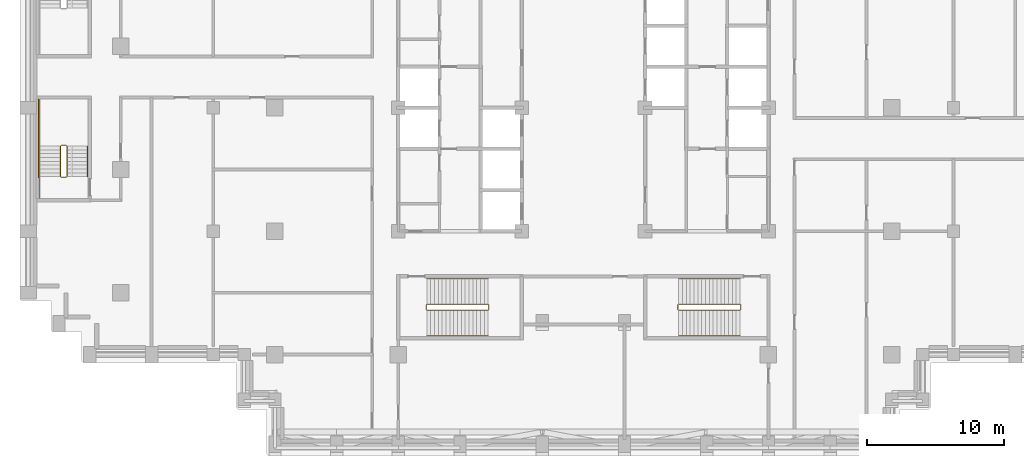
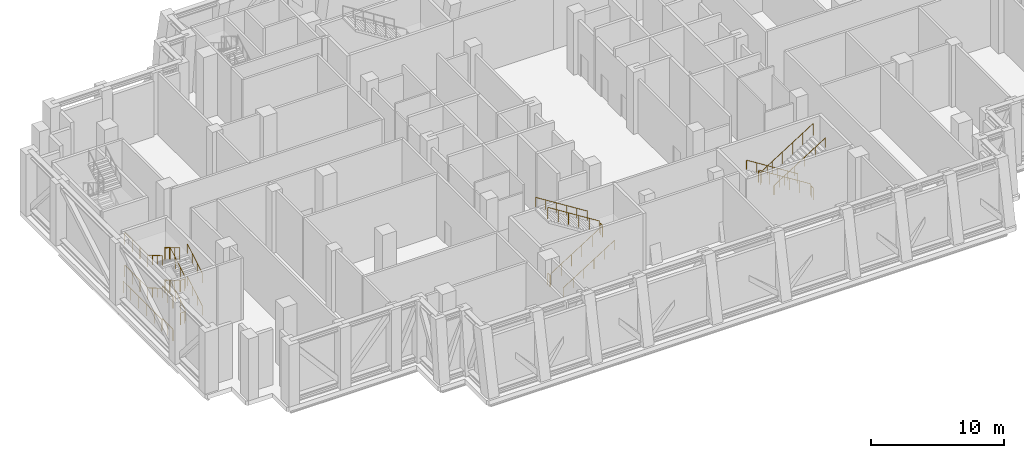
# One storey, part 12 of 14: 3 railings.
"""IFC4 building model written with IfcOpenShell, lengths in metres."""

from ifc_helpers import new_model, si_unit, direction, frame, origin, origin_2d, place, context, subcontext, project, spatial, circle, extrude, material, type_object, element, save


model = new_model("IFC4")

# Units and contexts
model_context = context("Model", 3, precision=1e-05, world=origin(), true_north=direction((0.0, 1.0)))
body_context = subcontext(model_context, "Body", "Model", "MODEL_VIEW")
ifc_project = project(units=[si_unit("LENGTHUNIT", "METRE"), si_unit("AREAUNIT", "SQUARE_METRE"), si_unit("VOLUMEUNIT", "CUBIC_METRE"), si_unit("PLANEANGLEUNIT", "RADIAN"), si_unit("MASSUNIT", "GRAM", prefix="KILO")], contexts=[model_context])

# Site, building, storey
site_placement = place(None, origin())
site = spatial("IfcSite", under=ifc_project, at=site_placement, CompositionType="ELEMENT")
building_placement = place(site_placement, origin())
building = spatial("IfcBuilding", under=site, at=building_placement, Name="Corbelhall Arena Tower", CompositionType="ELEMENT")
storey_placement = place(building_placement, frame((0.0, 0.0, 120.0)))
storey = spatial("IfcBuildingStorey", under=building, at=storey_placement, Name="L22", CompositionType="ELEMENT", Elevation=120.0)

# Railings
ifc_material = material(Name="Steel ASTM A500 Gr C", Category="steel")
railing_type = type_object("IfcRailingType", Name="IN-GD-1100", PredefinedType="GUARDRAIL", material=ifc_material)
railing_1_placement = place(storey_placement, frame((-11.425048828125, -14.77490234375, 0.176513671875)))
element("IfcRailing", 1, at=railing_1_placement, inside=storey, type_object=railing_type, Name="L22 ST2 stair guards and handrails", PredefinedType="GUARDRAIL", context=body_context, shape_type="SweptSolid", body=[
    extrude(circle(Radius=0.02392578125, at=origin_2d()), frame((0.0, 0.0, 1.076171875), z_axis=(0.845997938375, 0.0, 0.533186166611), x_axis=(0.0, 1.0, 0.0)), (0.0, 0.0, 1.0), 5.29541015625),
    extrude(circle(Radius=0.02392578125, at=origin_2d()), frame((4.530029296875, 0.0498046875, 3.8994140625), z_axis=(0.0, 1.0, 0.0), x_axis=(-1.0, 0.0, 0.0)), (0.0, 0.0, 1.0), 0.35009765625),
    extrude(circle(Radius=0.02392578125, at=origin_2d()), frame((4.47998046875, 0.449951171875, 4.076171875), z_axis=(-0.845997938375, 0.0, 0.533186166611), x_axis=(0.0, -1.0, 0.0)), (0.0, 0.0, 1.0), 5.29541015625),
    extrude(circle(Radius=0.02392578125, at=origin_2d()), frame((-0.050048828125, 0.0498046875, 0.8994140625), z_axis=(0.0, 1.0, 0.0), x_axis=(-1.0, 0.0, 0.0)), (0.0, 0.0, 1.0), 0.35009765625),
    extrude(circle(Radius=0.02392578125, at=origin_2d()), frame((0.0, -1.85009765625, 0.8759765625), z_axis=(0.845997938375, 0.0, 0.533186166611), x_axis=(0.0, 1.0, 0.0)), (0.0, 0.0, 1.0), 5.29541015625),
    extrude(circle(Radius=0.02392578125, at=origin_2d()), frame((4.47998046875, 2.2998046875, 3.8759765625), z_axis=(-0.845997938375, 0.0, 0.533186166611), x_axis=(0.0, -1.0, 0.0)), (0.0, 0.0, 1.0), 5.29541015625),
    extrude(circle(Radius=0.02099609375, at=origin_2d()), origin(), (0.0, 0.0, 1.0), 1.052001953125),
    extrude(circle(Radius=0.02099609375, at=origin_2d()), frame((0.89599609375, 0.0, 0.564697265625)), (0.0, 0.0, 1.0), 1.052001953125),
    extrude(circle(Radius=0.02099609375, at=origin_2d()), frame((1.7919921875, 0.0, 1.12939453125)), (0.0, 0.0, 1.0), 1.052001953125),
    extrude(circle(Radius=0.02099609375, at=origin_2d()), frame((2.68798828125, 0.0, 1.694091796875)), (0.0, 0.0, 1.0), 1.052001953125),
    extrude(circle(Radius=0.02099609375, at=origin_2d()), frame((3.583984375, 0.0, 2.2587890625)), (0.0, 0.0, 1.0), 1.052001953125),
    extrude(circle(Radius=0.02099609375, at=origin_2d()), frame((4.47998046875, 0.0, 2.823486328125)), (0.0, 0.0, 1.0), 1.052001953125),
    extrude(circle(Radius=0.02099609375, at=origin_2d()), frame((4.530029296875, 0.0498046875, 2.823486328125)), (0.0, 0.0, 1.0), 1.052001953125),
    extrude(circle(Radius=0.02099609375, at=origin_2d()), frame((4.530029296875, 0.39990234375, 2.823486328125)), (0.0, 0.0, 1.0), 1.052001953125),
    extrude(circle(Radius=0.02099609375, at=origin_2d()), frame((4.47998046875, 0.449951171875, 3.0)), (0.0, 0.0, 1.0), 1.052001953125),
    extrude(circle(Radius=0.02099609375, at=origin_2d()), frame((3.583984375, 0.449951171875, 3.564697265625)), (0.0, 0.0, 1.0), 1.052001953125),
    extrude(circle(Radius=0.02099609375, at=origin_2d()), frame((2.68798828125, 0.449951171875, 4.12939453125)), (0.0, 0.0, 1.0), 1.052001953125),
    extrude(circle(Radius=0.02099609375, at=origin_2d()), frame((1.7919921875, 0.449951171875, 4.694091796875)), (0.0, 0.0, 1.0), 1.052001953125),
    extrude(circle(Radius=0.02099609375, at=origin_2d()), frame((0.89599609375, 0.449951171875, 5.2587890625)), (0.0, 0.0, 1.0), 1.052001953125),
    extrude(circle(Radius=0.02099609375, at=origin_2d()), frame((0.0, 0.449951171875, 5.823486328125)), (0.0, 0.0, 1.0), 1.052001953125),
    extrude(circle(Radius=0.02099609375, at=origin_2d()), frame((-0.050048828125, 0.0498046875, -0.176513671875)), (0.0, 0.0, 1.0), 1.052001953125),
    extrude(circle(Radius=0.02099609375, at=origin_2d()), frame((-0.050048828125, 0.39990234375, -0.176513671875)), (0.0, 0.0, 1.0), 1.052001953125),
    extrude(circle(Radius=0.02099609375, at=origin_2d()), frame((0.0, -1.85009765625, 0.0)), (0.0, 0.0, 1.0), 0.851806640625),
    extrude(circle(Radius=0.02099609375, at=origin_2d()), frame((0.89599609375, -1.85009765625, 0.564697265625)), (0.0, 0.0, 1.0), 0.851806640625),
    extrude(circle(Radius=0.02099609375, at=origin_2d()), frame((1.7919921875, -1.85009765625, 1.12939453125)), (0.0, 0.0, 1.0), 0.851806640625),
    extrude(circle(Radius=0.02099609375, at=origin_2d()), frame((2.68798828125, -1.85009765625, 1.694091796875)), (0.0, 0.0, 1.0), 0.851806640625),
    extrude(circle(Radius=0.02099609375, at=origin_2d()), frame((3.583984375, -1.85009765625, 2.2587890625)), (0.0, 0.0, 1.0), 0.851806640625),
    extrude(circle(Radius=0.02099609375, at=origin_2d()), frame((4.47998046875, -1.85009765625, 2.823486328125)), (0.0, 0.0, 1.0), 0.851806640625),
    extrude(circle(Radius=0.02099609375, at=origin_2d()), frame((4.47998046875, 2.2998046875, 3.0)), (0.0, 0.0, 1.0), 0.851806640625),
    extrude(circle(Radius=0.02099609375, at=origin_2d()), frame((3.583984375, 2.2998046875, 3.564697265625)), (0.0, 0.0, 1.0), 0.851806640625),
    extrude(circle(Radius=0.02099609375, at=origin_2d()), frame((2.68798828125, 2.2998046875, 4.12939453125)), (0.0, 0.0, 1.0), 0.851806640625),
    extrude(circle(Radius=0.02099609375, at=origin_2d()), frame((1.7919921875, 2.2998046875, 4.694091796875)), (0.0, 0.0, 1.0), 0.851806640625),
    extrude(circle(Radius=0.02099609375, at=origin_2d()), frame((0.89599609375, 2.2998046875, 5.2587890625)), (0.0, 0.0, 1.0), 0.851806640625),
    extrude(circle(Radius=0.02099609375, at=origin_2d()), frame((0.0, 2.2998046875, 5.823486328125)), (0.0, 0.0, 1.0), 0.851806640625),
])
railing_2_placement = place(storey_placement, frame((11.425048828125, -14.324951171875, 0.176513671875)))
element("IfcRailing", 2, at=railing_2_placement, inside=storey, type_object=railing_type, Name="L22 ST4 stair guards and handrails", PredefinedType="GUARDRAIL", context=body_context, shape_type="SweptSolid", body=[
    extrude(circle(Radius=0.02392578125, at=origin_2d()), frame((0.0, 0.0, 1.076171875), z_axis=(-0.845997938375, 0.0, 0.533186166611), x_axis=(0.0, -1.0, 0.0)), (0.0, 0.0, 1.0), 5.29541015625),
    extrude(circle(Radius=0.02392578125, at=origin_2d()), frame((-4.530029296875, -0.050048828125, 3.8994140625), z_axis=(0.0, -1.0, 0.0), x_axis=(1.0, 0.0, 0.0)), (0.0, 0.0, 1.0), 0.35009765625),
    extrude(circle(Radius=0.02392578125, at=origin_2d()), frame((-4.47998046875, -0.449951171875, 4.076171875), z_axis=(0.845997938375, 0.0, 0.533186166611), x_axis=(0.0, 1.0, 0.0)), (0.0, 0.0, 1.0), 5.29541015625),
    extrude(circle(Radius=0.02392578125, at=origin_2d()), frame((0.050048828125, -0.050048828125, 0.8994140625), z_axis=(0.0, -1.0, 0.0), x_axis=(1.0, 0.0, 0.0)), (0.0, 0.0, 1.0), 0.35009765625),
    extrude(circle(Radius=0.02392578125, at=origin_2d()), frame((0.0, 1.849853515625, 0.8759765625), z_axis=(-0.845997938375, 0.0, 0.533186166611), x_axis=(0.0, -1.0, 0.0)), (0.0, 0.0, 1.0), 5.29541015625),
    extrude(circle(Radius=0.02392578125, at=origin_2d()), frame((-4.47998046875, -2.300048828125, 3.8759765625), z_axis=(0.845997938375, 0.0, 0.533186166611), x_axis=(0.0, 1.0, 0.0)), (0.0, 0.0, 1.0), 5.29541015625),
    extrude(circle(Radius=0.02099609375, at=origin_2d()), origin(), (0.0, 0.0, 1.0), 1.052001953125),
    extrude(circle(Radius=0.02099609375, at=origin_2d()), frame((-0.89599609375, 0.0, 0.564697265625)), (0.0, 0.0, 1.0), 1.052001953125),
    extrude(circle(Radius=0.02099609375, at=origin_2d()), frame((-1.7919921875, 0.0, 1.12939453125)), (0.0, 0.0, 1.0), 1.052001953125),
    extrude(circle(Radius=0.02099609375, at=origin_2d()), frame((-2.68798828125, 0.0, 1.694091796875)), (0.0, 0.0, 1.0), 1.052001953125),
    extrude(circle(Radius=0.02099609375, at=origin_2d()), frame((-3.583984375, 0.0, 2.2587890625)), (0.0, 0.0, 1.0), 1.052001953125),
    extrude(circle(Radius=0.02099609375, at=origin_2d()), frame((-4.47998046875, 0.0, 2.823486328125)), (0.0, 0.0, 1.0), 1.052001953125),
    extrude(circle(Radius=0.02099609375, at=origin_2d()), frame((-4.530029296875, -0.050048828125, 2.823486328125)), (0.0, 0.0, 1.0), 1.052001953125),
    extrude(circle(Radius=0.02099609375, at=origin_2d()), frame((-4.530029296875, -0.400146484375, 2.823486328125)), (0.0, 0.0, 1.0), 1.052001953125),
    extrude(circle(Radius=0.02099609375, at=origin_2d()), frame((-4.47998046875, -0.449951171875, 3.0)), (0.0, 0.0, 1.0), 1.052001953125),
    extrude(circle(Radius=0.02099609375, at=origin_2d()), frame((-3.583984375, -0.449951171875, 3.564697265625)), (0.0, 0.0, 1.0), 1.052001953125),
    extrude(circle(Radius=0.02099609375, at=origin_2d()), frame((-2.68798828125, -0.449951171875, 4.12939453125)), (0.0, 0.0, 1.0), 1.052001953125),
    extrude(circle(Radius=0.02099609375, at=origin_2d()), frame((-1.7919921875, -0.449951171875, 4.694091796875)), (0.0, 0.0, 1.0), 1.052001953125),
    extrude(circle(Radius=0.02099609375, at=origin_2d()), frame((-0.89599609375, -0.449951171875, 5.2587890625)), (0.0, 0.0, 1.0), 1.052001953125),
    extrude(circle(Radius=0.02099609375, at=origin_2d()), frame((0.0, -0.449951171875, 5.823486328125)), (0.0, 0.0, 1.0), 1.052001953125),
    extrude(circle(Radius=0.02099609375, at=origin_2d()), frame((0.050048828125, -0.050048828125, -0.176513671875)), (0.0, 0.0, 1.0), 1.052001953125),
    extrude(circle(Radius=0.02099609375, at=origin_2d()), frame((0.050048828125, -0.400146484375, -0.176513671875)), (0.0, 0.0, 1.0), 1.052001953125),
    extrude(circle(Radius=0.02099609375, at=origin_2d()), frame((0.0, 1.849853515625, 0.0)), (0.0, 0.0, 1.0), 0.851806640625),
    extrude(circle(Radius=0.02099609375, at=origin_2d()), frame((-0.89599609375, 1.849853515625, 0.564697265625)), (0.0, 0.0, 1.0), 0.851806640625),
    extrude(circle(Radius=0.02099609375, at=origin_2d()), frame((-1.7919921875, 1.849853515625, 1.12939453125)), (0.0, 0.0, 1.0), 0.851806640625),
    extrude(circle(Radius=0.02099609375, at=origin_2d()), frame((-2.68798828125, 1.849853515625, 1.694091796875)), (0.0, 0.0, 1.0), 0.851806640625),
    extrude(circle(Radius=0.02099609375, at=origin_2d()), frame((-3.583984375, 1.849853515625, 2.2587890625)), (0.0, 0.0, 1.0), 0.851806640625),
    extrude(circle(Radius=0.02099609375, at=origin_2d()), frame((-4.47998046875, 1.849853515625, 2.823486328125)), (0.0, 0.0, 1.0), 0.851806640625),
    extrude(circle(Radius=0.02099609375, at=origin_2d()), frame((-4.47998046875, -2.300048828125, 3.0)), (0.0, 0.0, 1.0), 0.851806640625),
    extrude(circle(Radius=0.02099609375, at=origin_2d()), frame((-3.583984375, -2.300048828125, 3.564697265625)), (0.0, 0.0, 1.0), 0.851806640625),
    extrude(circle(Radius=0.02099609375, at=origin_2d()), frame((-2.68798828125, -2.300048828125, 4.12939453125)), (0.0, 0.0, 1.0), 0.851806640625),
    extrude(circle(Radius=0.02099609375, at=origin_2d()), frame((-1.7919921875, -2.300048828125, 4.694091796875)), (0.0, 0.0, 1.0), 0.851806640625),
    extrude(circle(Radius=0.02099609375, at=origin_2d()), frame((-0.89599609375, -2.300048828125, 5.2587890625)), (0.0, 0.0, 1.0), 0.851806640625),
    extrude(circle(Radius=0.02099609375, at=origin_2d()), frame((0.0, -2.300048828125, 5.823486328125)), (0.0, 0.0, 1.0), 0.851806640625),
])
railing_3_placement = place(storey_placement, frame((-37.675048828125, -5.02490234375, 0.166748046875)))
element("IfcRailing", 3, at=railing_3_placement, inside=storey, type_object=railing_type, Name="L22 SC2 stair guards and handrails", PredefinedType="GUARDRAIL", context=body_context, shape_type="SweptSolid", body=[
    extrude(circle(Radius=0.02392578125, at=origin_2d()), frame((0.0, 0.0, 1.076171875), z_axis=(0.0, 0.859305625298, 0.511462454469), x_axis=(-1.0, 0.0, 0.0)), (0.0, 0.0, 1.0), 2.606689453125),
    extrude(circle(Radius=0.02392578125, at=origin_2d()), frame((-0.050048828125, 2.289794921875, 2.4091796875), z_axis=(-1.0, 0.0, 0.0), x_axis=(0.0, -1.0, 0.0)), (0.0, 0.0, 1.0), 0.375),
    extrude(circle(Radius=0.02392578125, at=origin_2d()), frame((-1.974853515625, 2.239990234375, 2.4091796875), z_axis=(0.0, 1.0, 0.0), x_axis=(-1.0, 0.0, 0.0)), (0.0, 0.0, 1.0), 3.409912109375),
    extrude(circle(Radius=0.02392578125, at=origin_2d()), frame((-0.474853515625, 2.239990234375, 2.576171875), z_axis=(0.0, -0.859305625298, 0.511462454469), x_axis=(1.0, 0.0, 0.0)), (0.0, 0.0, 1.0), 2.606689453125),
    extrude(circle(Radius=0.02392578125, at=origin_2d()), frame((-0.050048828125, -0.050048828125, 3.9091796875), z_axis=(-1.0, 0.0, 0.0), x_axis=(0.0, -1.0, 0.0)), (0.0, 0.0, 1.0), 0.375),
    extrude(circle(Radius=0.02392578125, at=origin_2d()), frame((-1.974853515625, -1.60009765625, 3.9091796875), z_axis=(0.0, 1.0, 0.0), x_axis=(-1.0, 0.0, 0.0)), (0.0, 0.0, 1.0), 1.60009765625),
    extrude(circle(Radius=0.02392578125, at=origin_2d()), frame((0.0, 0.0, 4.076171875), z_axis=(0.0, 0.859305625298, 0.511462454469), x_axis=(-1.0, 0.0, 0.0)), (0.0, 0.0, 1.0), 2.606689453125),
    extrude(circle(Radius=0.02392578125, at=origin_2d()), frame((-0.050048828125, 2.289794921875, 5.4091796875), z_axis=(-1.0, 0.0, 0.0), x_axis=(0.0, -1.0, 0.0)), (0.0, 0.0, 1.0), 0.375),
    extrude(circle(Radius=0.02392578125, at=origin_2d()), frame((-1.974853515625, 2.239990234375, 5.4091796875), z_axis=(0.0, 1.0, 0.0), x_axis=(-1.0, 0.0, 0.0)), (0.0, 0.0, 1.0), 3.409912109375),
    extrude(circle(Radius=0.02392578125, at=origin_2d()), frame((-0.474853515625, 2.239990234375, 5.576171875), z_axis=(0.0, -0.859305625298, 0.511462454469), x_axis=(1.0, 0.0, 0.0)), (0.0, 0.0, 1.0), 2.606689453125),
    extrude(circle(Radius=0.02392578125, at=origin_2d()), frame((-0.050048828125, -0.050048828125, 0.9091796875), z_axis=(-1.0, 0.0, 0.0), x_axis=(0.0, -1.0, 0.0)), (0.0, 0.0, 1.0), 0.375),
    extrude(circle(Radius=0.02392578125, at=origin_2d()), frame((-1.974853515625, -1.60009765625, 0.9091796875), z_axis=(0.0, 1.0, 0.0), x_axis=(-1.0, 0.0, 0.0)), (0.0, 0.0, 1.0), 1.60009765625),
    extrude(circle(Radius=0.02392578125, at=origin_2d()), frame((-2.074951171875, -0.10009765625, 0.9091796875), z_axis=(0.0, 1.0, 0.0), x_axis=(-1.0, 0.0, 0.0)), (0.0, 0.0, 1.0), 5.85009765625),
    extrude(circle(Radius=0.02392578125, at=origin_2d()), frame((1.5, 0.0, 0.8759765625), z_axis=(0.0, 0.859305625298, 0.511462454469), x_axis=(-1.0, 0.0, 0.0)), (0.0, 0.0, 1.0), 2.606689453125),
    extrude(circle(Radius=0.02392578125, at=origin_2d()), frame((-1.974853515625, 2.239990234375, 2.3759765625), z_axis=(0.0, -0.859305625298, 0.511462454469), x_axis=(1.0, 0.0, 0.0)), (0.0, 0.0, 1.0), 2.606689453125),
    extrude(circle(Radius=0.02392578125, at=origin_2d()), frame((1.5, 0.0, 3.8759765625), z_axis=(0.0, 0.859305625298, 0.511462454469), x_axis=(-1.0, 0.0, 0.0)), (0.0, 0.0, 1.0), 2.606689453125),
    extrude(circle(Radius=0.02392578125, at=origin_2d()), frame((-1.974853515625, 2.239990234375, 5.3759765625), z_axis=(0.0, -0.859305625298, 0.511462454469), x_axis=(1.0, 0.0, 0.0)), (0.0, 0.0, 1.0), 2.606689453125),
    extrude(circle(Radius=0.02099609375, at=origin_2d()), origin(), (0.0, 0.0, 1.0), 1.052001953125),
    extrude(circle(Radius=0.02099609375, at=origin_2d()), frame((0.0, 0.74658203125, 0.4443359375)), (0.0, 0.0, 1.0), 1.052001953125),
    extrude(circle(Radius=0.02099609375, at=origin_2d()), frame((0.0, 1.493408203125, 0.888916015625)), (0.0, 0.0, 1.0), 1.052001953125),
    extrude(circle(Radius=0.02099609375, at=origin_2d()), frame((0.0, 2.239990234375, 1.333251953125)), (0.0, 0.0, 1.0), 1.052001953125),
    extrude(circle(Radius=0.02099609375, at=origin_2d()), frame((-0.050048828125, 2.289794921875, 1.333251953125)), (0.0, 0.0, 1.0), 1.052001953125),
    extrude(circle(Radius=0.02099609375, at=origin_2d()), frame((-0.425048828125, 2.289794921875, 1.333251953125)), (0.0, 0.0, 1.0), 1.052001953125),
    extrude(circle(Radius=0.02099609375, at=origin_2d()), frame((-1.974853515625, 2.239990234375, 1.333251953125)), (0.0, 0.0, 1.0), 1.052001953125),
    extrude(circle(Radius=0.02099609375, at=origin_2d()), frame((-1.974853515625, 3.376708984375, 1.333251953125)), (0.0, 0.0, 1.0), 1.052001953125),
    extrude(circle(Radius=0.02099609375, at=origin_2d()), frame((-1.974853515625, 4.51318359375, 1.333251953125)), (0.0, 0.0, 1.0), 1.052001953125),
    extrude(circle(Radius=0.02099609375, at=origin_2d()), frame((-1.974853515625, 5.64990234375, 1.333251953125)), (0.0, 0.0, 1.0), 1.052001953125),
    extrude(circle(Radius=0.02099609375, at=origin_2d()), frame((-0.474853515625, 2.239990234375, 1.5)), (0.0, 0.0, 1.0), 1.052001953125),
    extrude(circle(Radius=0.02099609375, at=origin_2d()), frame((-0.474853515625, 1.493408203125, 1.9443359375)), (0.0, 0.0, 1.0), 1.052001953125),
    extrude(circle(Radius=0.02099609375, at=origin_2d()), frame((-0.474853515625, 0.74658203125, 2.388916015625)), (0.0, 0.0, 1.0), 1.052001953125),
    extrude(circle(Radius=0.02099609375, at=origin_2d()), frame((-0.474853515625, 0.0, 2.833251953125)), (0.0, 0.0, 1.0), 1.052001953125),
    extrude(circle(Radius=0.02099609375, at=origin_2d()), frame((-0.050048828125, -0.050048828125, 2.833251953125)), (0.0, 0.0, 1.0), 1.052001953125),
    extrude(circle(Radius=0.02099609375, at=origin_2d()), frame((-0.425048828125, -0.050048828125, 2.833251953125)), (0.0, 0.0, 1.0), 1.052001953125),
    extrude(circle(Radius=0.02099609375, at=origin_2d()), frame((-1.974853515625, -1.60009765625, 2.833251953125)), (0.0, 0.0, 1.0), 1.052001953125),
    extrude(circle(Radius=0.02099609375, at=origin_2d()), frame((-1.974853515625, -0.800048828125, 2.833251953125)), (0.0, 0.0, 1.0), 1.052001953125),
    extrude(circle(Radius=0.02099609375, at=origin_2d()), frame((-1.974853515625, 0.0, 2.833251953125)), (0.0, 0.0, 1.0), 1.052001953125),
    extrude(circle(Radius=0.02099609375, at=origin_2d()), frame((0.0, 0.0, 3.0)), (0.0, 0.0, 1.0), 1.052001953125),
    extrude(circle(Radius=0.02099609375, at=origin_2d()), frame((0.0, 0.74658203125, 3.4443359375)), (0.0, 0.0, 1.0), 1.052001953125),
    extrude(circle(Radius=0.02099609375, at=origin_2d()), frame((0.0, 1.493408203125, 3.888916015625)), (0.0, 0.0, 1.0), 1.052001953125),
    extrude(circle(Radius=0.02099609375, at=origin_2d()), frame((0.0, 2.239990234375, 4.333251953125)), (0.0, 0.0, 1.0), 1.052001953125),
    extrude(circle(Radius=0.02099609375, at=origin_2d()), frame((-0.050048828125, 2.289794921875, 4.333251953125)), (0.0, 0.0, 1.0), 1.052001953125),
    extrude(circle(Radius=0.02099609375, at=origin_2d()), frame((-0.425048828125, 2.289794921875, 4.333251953125)), (0.0, 0.0, 1.0), 1.052001953125),
    extrude(circle(Radius=0.02099609375, at=origin_2d()), frame((-1.974853515625, 2.239990234375, 4.333251953125)), (0.0, 0.0, 1.0), 1.052001953125),
    extrude(circle(Radius=0.02099609375, at=origin_2d()), frame((-1.974853515625, 3.376708984375, 4.333251953125)), (0.0, 0.0, 1.0), 1.052001953125),
    extrude(circle(Radius=0.02099609375, at=origin_2d()), frame((-1.974853515625, 4.51318359375, 4.333251953125)), (0.0, 0.0, 1.0), 1.052001953125),
    extrude(circle(Radius=0.02099609375, at=origin_2d()), frame((-1.974853515625, 5.64990234375, 4.333251953125)), (0.0, 0.0, 1.0), 1.052001953125),
    extrude(circle(Radius=0.02099609375, at=origin_2d()), frame((-0.474853515625, 2.239990234375, 4.5)), (0.0, 0.0, 1.0), 1.052001953125),
    extrude(circle(Radius=0.02099609375, at=origin_2d()), frame((-0.474853515625, 1.493408203125, 4.9443359375)), (0.0, 0.0, 1.0), 1.052001953125),
    extrude(circle(Radius=0.02099609375, at=origin_2d()), frame((-0.474853515625, 0.74658203125, 5.388916015625)), (0.0, 0.0, 1.0), 1.052001953125),
    extrude(circle(Radius=0.02099609375, at=origin_2d()), frame((-0.474853515625, 0.0, 5.833251953125)), (0.0, 0.0, 1.0), 1.052001953125),
    extrude(circle(Radius=0.02099609375, at=origin_2d()), frame((-0.050048828125, -0.050048828125, -0.166748046875)), (0.0, 0.0, 1.0), 1.052001953125),
    extrude(circle(Radius=0.02099609375, at=origin_2d()), frame((-0.425048828125, -0.050048828125, -0.166748046875)), (0.0, 0.0, 1.0), 1.052001953125),
    extrude(circle(Radius=0.02099609375, at=origin_2d()), frame((-1.974853515625, -1.60009765625, -0.166748046875)), (0.0, 0.0, 1.0), 1.052001953125),
    extrude(circle(Radius=0.02099609375, at=origin_2d()), frame((-1.974853515625, -0.800048828125, -0.166748046875)), (0.0, 0.0, 1.0), 1.052001953125),
    extrude(circle(Radius=0.02099609375, at=origin_2d()), frame((-1.974853515625, 0.0, -0.166748046875)), (0.0, 0.0, 1.0), 1.052001953125),
    extrude(circle(Radius=0.02099609375, at=origin_2d()), frame((-2.074951171875, -0.10009765625, -0.166748046875)), (0.0, 0.0, 1.0), 1.052001953125),
    extrude(circle(Radius=0.02099609375, at=origin_2d()), frame((-2.074951171875, 1.06982421875, -0.166748046875)), (0.0, 0.0, 1.0), 1.052001953125),
    extrude(circle(Radius=0.02099609375, at=origin_2d()), frame((-2.074951171875, 2.239990234375, -0.166748046875)), (0.0, 0.0, 1.0), 1.052001953125),
    extrude(circle(Radius=0.02099609375, at=origin_2d()), frame((-2.074951171875, 3.409912109375, -0.166748046875)), (0.0, 0.0, 1.0), 1.052001953125),
    extrude(circle(Radius=0.02099609375, at=origin_2d()), frame((-2.074951171875, 4.580078125, -0.166748046875)), (0.0, 0.0, 1.0), 1.052001953125),
    extrude(circle(Radius=0.02099609375, at=origin_2d()), frame((-2.074951171875, 5.75, -0.166748046875)), (0.0, 0.0, 1.0), 1.052001953125),
    extrude(circle(Radius=0.02099609375, at=origin_2d()), frame((1.5, 0.0, 0.0)), (0.0, 0.0, 1.0), 0.851806640625),
    extrude(circle(Radius=0.02099609375, at=origin_2d()), frame((1.5, 0.74658203125, 0.4443359375)), (0.0, 0.0, 1.0), 0.851806640625),
    extrude(circle(Radius=0.02099609375, at=origin_2d()), frame((1.5, 1.493408203125, 0.888916015625)), (0.0, 0.0, 1.0), 0.851806640625),
    extrude(circle(Radius=0.02099609375, at=origin_2d()), frame((1.5, 2.239990234375, 1.333251953125)), (0.0, 0.0, 1.0), 0.851806640625),
    extrude(circle(Radius=0.02099609375, at=origin_2d()), frame((-1.974853515625, 2.239990234375, 1.5)), (0.0, 0.0, 1.0), 0.851806640625),
    extrude(circle(Radius=0.02099609375, at=origin_2d()), frame((-1.974853515625, 1.493408203125, 1.9443359375)), (0.0, 0.0, 1.0), 0.851806640625),
    extrude(circle(Radius=0.02099609375, at=origin_2d()), frame((-1.974853515625, 0.74658203125, 2.388916015625)), (0.0, 0.0, 1.0), 0.851806640625),
    extrude(circle(Radius=0.02099609375, at=origin_2d()), frame((1.5, 0.0, 3.0)), (0.0, 0.0, 1.0), 0.851806640625),
    extrude(circle(Radius=0.02099609375, at=origin_2d()), frame((1.5, 0.74658203125, 3.4443359375)), (0.0, 0.0, 1.0), 0.851806640625),
    extrude(circle(Radius=0.02099609375, at=origin_2d()), frame((1.5, 1.493408203125, 3.888916015625)), (0.0, 0.0, 1.0), 0.851806640625),
    extrude(circle(Radius=0.02099609375, at=origin_2d()), frame((1.5, 2.239990234375, 4.333251953125)), (0.0, 0.0, 1.0), 0.851806640625),
    extrude(circle(Radius=0.02099609375, at=origin_2d()), frame((-1.974853515625, 2.239990234375, 4.5)), (0.0, 0.0, 1.0), 0.851806640625),
    extrude(circle(Radius=0.02099609375, at=origin_2d()), frame((-1.974853515625, 1.493408203125, 4.9443359375)), (0.0, 0.0, 1.0), 0.851806640625),
    extrude(circle(Radius=0.02099609375, at=origin_2d()), frame((-1.974853515625, 0.74658203125, 5.388916015625)), (0.0, 0.0, 1.0), 0.851806640625),
    extrude(circle(Radius=0.02099609375, at=origin_2d()), frame((-1.974853515625, 0.0, 5.833251953125)), (0.0, 0.0, 1.0), 0.851806640625),
])

save(model, "model.ifc")
